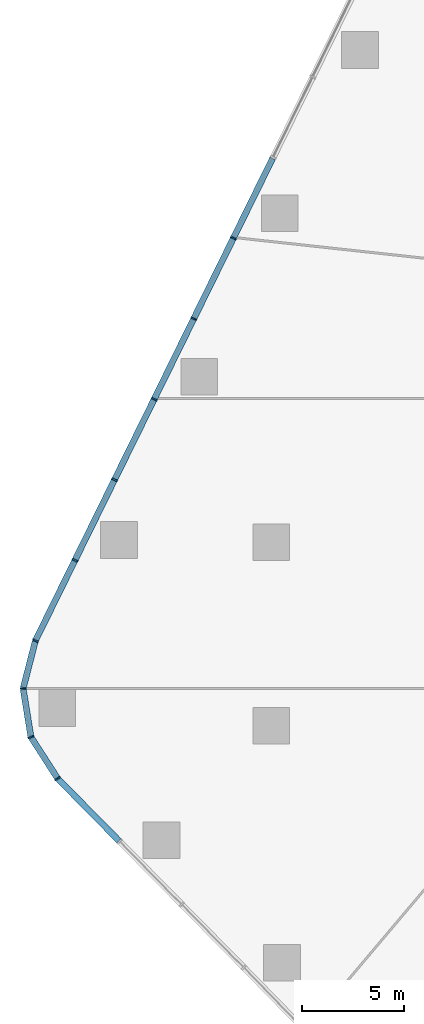
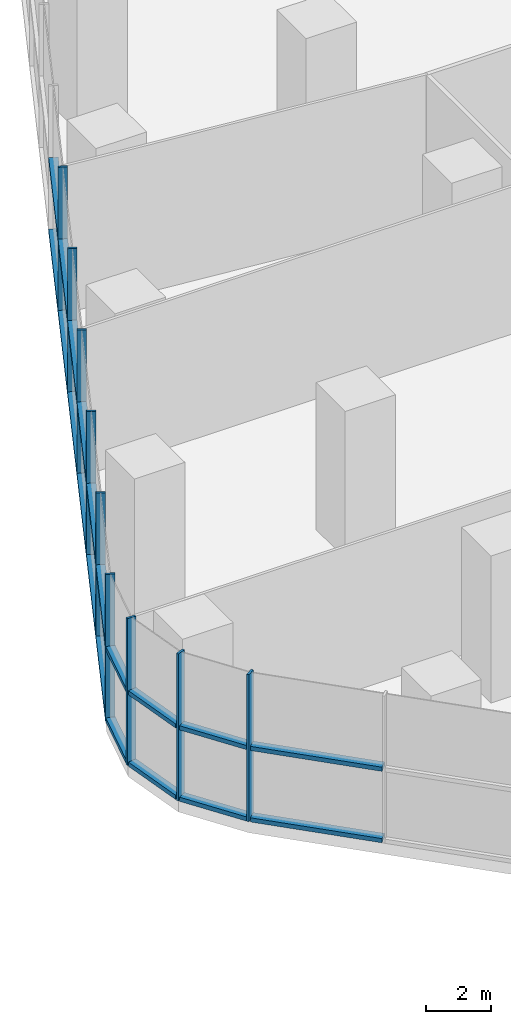
# One storey, part 4 of 15: 29 members, 3 elements without a shape of their own.
"""IFC4 building model written with IfcOpenShell, lengths in metres."""

from ifc_helpers import new_model, si_unit, direction, frame, origin, origin_2d, place, context, subcontext, project, spatial, rectangle, extrude, material, layer, layer_set, material_profile, profile_set, type_object, element, aggregate, save


model = new_model("IFC4")

# Units and contexts
model_context = context("Model", 3, precision=1e-05, world=origin(), true_north=direction((0.0, 1.0)))
body_context = subcontext(model_context, "Body", "Model", "MODEL_VIEW")
ifc_project = project(units=[si_unit("LENGTHUNIT", "METRE"), si_unit("AREAUNIT", "SQUARE_METRE"), si_unit("VOLUMEUNIT", "CUBIC_METRE"), si_unit("PLANEANGLEUNIT", "RADIAN"), si_unit("MASSUNIT", "GRAM", prefix="KILO")], contexts=[model_context])

# Site, building, storey
site_placement = place(None, origin())
site = spatial("IfcSite", under=ifc_project, at=site_placement, CompositionType="ELEMENT")
building_placement = place(site_placement, origin())
building = spatial("IfcBuilding", under=site, at=building_placement, Name="Dongbaek Canopy Tower", CompositionType="ELEMENT")
storey_placement = place(building_placement, frame((0.0, 0.0, 27.0)))
storey = spatial("IfcBuildingStorey", under=building, at=storey_placement, Name="L03", CompositionType="ELEMENT", Elevation=27.0)

# Curtain wall, members
ifc_material_1 = material(Name="Aluminium 6063-T6 pale anodised", Category="aluminium")
ifc_layer = layer(ifc_material_1, 0.300048828125)
ifc_layer_set = layer_set([ifc_layer], Name="CW-2 podium hall curtain wall")
curtain_wall_type = type_object("IfcCurtainWallType", Name="CW-2 podium hall curtain wall", PredefinedType="NOTDEFINED", material=ifc_layer_set)
curtain_wall_1_placement = place(storey_placement, origin())
curtain_wall_1 = element("IfcCurtainWall", 1, at=curtain_wall_1_placement, inside=storey, type_object=curtain_wall_type, Name="CW-2 curtain wall F3.1", PredefinedType="NOTDEFINED")
ifc_material_2 = material(Name="Aluminium 6063-T6 pale anodised", Category="aluminium")
ifc_material_profile_1 = material_profile(ifc_material_2, rectangle(XDim=0.300048828125, YDim=0.080078125, at=origin_2d()), Name="CW-2 mullion 80 x 300")
ifc_profile_set_1 = profile_set([ifc_material_profile_1], Name="Aluminium 6063-T6 pale anodised")
member_type_1 = type_object("IfcMemberType", Name="CW-2 mullion 80 x 300", PredefinedType="MULLION", material=ifc_profile_set_1)
member_1_placement = place(storey_placement, frame((-28.856201171875, 14.902099609375, 0.0), z_axis=(0.0, 0.0, 1.0), x_axis=(-0.897339166815, 0.441341613378, 0.0)))
member_1 = element("IfcMember", 2, at=member_1_placement, type_object=member_type_1, Name="CW-2 mullion F3.1.5", PredefinedType="MULLION", context=body_context, shape_type="SweptSolid", body=[
    extrude(rectangle(XDim=0.300048828125, YDim=0.080078125, at=origin_2d()), origin(), (0.0, 0.0, 1.0), 5.550048828125),
])
member_2_placement = place(storey_placement, frame((-30.7978515625, 10.954345703125, 0.0), z_axis=(0.0, 0.0, 1.0), x_axis=(-0.897339166815, 0.441341613378, 0.0)))
member_2 = element("IfcMember", 3, at=member_2_placement, type_object=member_type_1, Name="CW-2 mullion F3.1.6", PredefinedType="MULLION", context=body_context, shape_type="SweptSolid", body=[
    extrude(rectangle(XDim=0.300048828125, YDim=0.080078125, at=origin_2d()), origin(), (0.0, 0.0, 1.0), 5.550048828125),
])
member_3_placement = place(storey_placement, frame((-32.739501953125, 7.00634765625, 0.0), z_axis=(0.0, 0.0, 1.0), x_axis=(-0.897339166815, 0.441341613378, 0.0)))
member_3 = element("IfcMember", 4, at=member_3_placement, type_object=member_type_1, Name="CW-2 mullion F3.1.7", PredefinedType="MULLION", context=body_context, shape_type="SweptSolid", body=[
    extrude(rectangle(XDim=0.300048828125, YDim=0.080078125, at=origin_2d()), origin(), (0.0, 0.0, 1.0), 5.550048828125),
])
member_4_placement = place(storey_placement, frame((-34.68115234375, 3.05859375, 0.0), z_axis=(0.0, 0.0, 1.0), x_axis=(-0.897339166815, 0.441341613378, 0.0)))
member_4 = element("IfcMember", 5, at=member_4_placement, type_object=member_type_1, Name="CW-2 mullion F3.1.8", PredefinedType="MULLION", context=body_context, shape_type="SweptSolid", body=[
    extrude(rectangle(XDim=0.300048828125, YDim=0.080078125, at=origin_2d()), origin(), (0.0, 0.0, 1.0), 5.550048828125),
])
member_5_placement = place(storey_placement, frame((-36.622802734375, -0.88916015625, 0.0), z_axis=(0.0, 0.0, 1.0), x_axis=(-0.897339166815, 0.441341613378, 0.0)))
member_5 = element("IfcMember", 6, at=member_5_placement, type_object=member_type_1, Name="CW-2 mullion F3.1.9", PredefinedType="MULLION", context=body_context, shape_type="SweptSolid", body=[
    extrude(rectangle(XDim=0.300048828125, YDim=0.080078125, at=origin_2d()), origin(), (0.0, 0.0, 1.0), 5.550048828125),
])
member_6_placement = place(storey_placement, frame((-38.559814453125, -4.82763671875, 0.0), z_axis=(0.0, 0.0, 1.0), x_axis=(-0.897339166815, 0.441341613378, 0.0)))
member_6 = element("IfcMember", 7, at=member_6_placement, type_object=member_type_1, Name="CW-2 mullion F3.1.10", PredefinedType="MULLION", context=body_context, shape_type="SweptSolid", body=[
    extrude(rectangle(XDim=0.300048828125, YDim=0.080078125, at=origin_2d()), origin(), (0.0, 0.0, 1.0), 5.550048828125),
])

curtain_wall_2_placement = place(storey_placement, origin())
curtain_wall_2 = element("IfcCurtainWall", 8, at=curtain_wall_2_placement, inside=storey, type_object=curtain_wall_type, Name="CW-2 curtain wall K4.1", PredefinedType="NOTDEFINED")
member_7_placement = place(storey_placement, frame((-39.161865234375, -7.1728515625, 0.0), z_axis=(0.0, 0.0, 1.0), x_axis=(-0.998966870966, 0.045444369436, 0.0)))
member_7 = element("IfcMember", 9, at=member_7_placement, type_object=member_type_1, Name="CW-2 mullion K4.1.2", PredefinedType="MULLION", context=body_context, shape_type="SweptSolid", body=[
    extrude(rectangle(XDim=0.300048828125, YDim=0.080078125, at=origin_2d()), origin(), (0.0, 0.0, 1.0), 5.550048828125),
])
member_8_placement = place(storey_placement, frame((-38.77685546875, -9.552490234375, 0.0), z_axis=(0.0, 0.0, 1.0), x_axis=(-0.933704344441, -0.358044965295, 0.0)))
member_8 = element("IfcMember", 10, at=member_8_placement, type_object=member_type_1, Name="CW-2 mullion K4.1.3", PredefinedType="MULLION", context=body_context, shape_type="SweptSolid", body=[
    extrude(rectangle(XDim=0.300048828125, YDim=0.080078125, at=origin_2d()), origin(), (0.0, 0.0, 1.0), 5.550048828125),
])
member_9_placement = place(storey_placement, frame((-37.46630859375, -11.58837890625, 0.0), z_axis=(0.0, 0.0, 1.0), x_axis=(-0.840825723493, -0.541305923405, 0.0)))
member_9 = element("IfcMember", 11, at=member_9_placement, type_object=member_type_1, Name="CW-2 mullion K4.1.4", PredefinedType="MULLION", context=body_context, shape_type="SweptSolid", body=[
    extrude(rectangle(XDim=0.300048828125, YDim=0.080078125, at=origin_2d()), origin(), (0.0, 0.0, 1.0), 5.550048828125),
])

# Member
ifc_material_3 = material(Name="Aluminium 6063-T6 pale anodised", Category="aluminium")
ifc_material_profile_2 = material_profile(ifc_material_3, rectangle(XDim=0.300048828125, YDim=0.159912109375, at=origin_2d()), Name="CW-2 transom 160 x 300")
ifc_profile_set_2 = profile_set([ifc_material_profile_2], Name="Aluminium 6063-T6 pale anodised")
member_type_2 = type_object("IfcMemberType", Name="CW-2 transom 160 x 300", PredefinedType="USERDEFINED", material=ifc_profile_set_2)
member_10_placement = place(storey_placement, frame((-26.937255859375, 18.80322265625, 0.080078125), z_axis=(-0.441384176903, -0.897318231387, 0.0), x_axis=(0.897318231387, -0.441384176903, 0.0)))
member_10 = element("IfcMember", 12, at=member_10_placement, type_object=member_type_2, Name="CW-2 transom F3.1.4.1", ObjectType="TRANSOM", PredefinedType="USERDEFINED", context=body_context, shape_type="SweptSolid", body=[
    extrude(rectangle(XDim=0.300048828125, YDim=0.159912109375, at=origin_2d()), origin(), (0.0, 0.0, 1.0), 4.295654296875),
])

member_11_placement = place(storey_placement, frame((-26.937255859375, 18.80322265625, 2.77490234375), z_axis=(-0.441384176903, -0.897318231387, 0.0), x_axis=(0.897318231387, -0.441384176903, 0.0)))
member_11 = element("IfcMember", 13, at=member_11_placement, type_object=member_type_2, Name="CW-2 transom F3.1.4.2", ObjectType="TRANSOM", PredefinedType="USERDEFINED", context=body_context, shape_type="SweptSolid", body=[
    extrude(rectangle(XDim=0.300048828125, YDim=0.159912109375, at=origin_2d()), origin(), (0.0, 0.0, 1.0), 4.295654296875),
])

member_12_placement = place(storey_placement, frame((-28.879150390625, 14.85546875, 0.080078125), z_axis=(-0.441338412406, -0.897340741154, 0.0), x_axis=(0.897340741154, -0.441338412406, 0.0)))
member_12 = element("IfcMember", 14, at=member_12_placement, type_object=member_type_2, Name="CW-2 transom F3.1.5.1", ObjectType="TRANSOM", PredefinedType="USERDEFINED", context=body_context, shape_type="SweptSolid", body=[
    extrude(rectangle(XDim=0.300048828125, YDim=0.159912109375, at=origin_2d()), origin(), (0.0, 0.0, 1.0), 4.29541015625),
])

member_13_placement = place(storey_placement, frame((-28.879150390625, 14.85546875, 2.77490234375), z_axis=(-0.441338412406, -0.897340741154, 0.0), x_axis=(0.897340741154, -0.441338412406, 0.0)))
member_13 = element("IfcMember", 15, at=member_13_placement, type_object=member_type_2, Name="CW-2 transom F3.1.5.2", ObjectType="TRANSOM", PredefinedType="USERDEFINED", context=body_context, shape_type="SweptSolid", body=[
    extrude(rectangle(XDim=0.300048828125, YDim=0.159912109375, at=origin_2d()), origin(), (0.0, 0.0, 1.0), 4.29541015625),
])

member_14_placement = place(storey_placement, frame((-30.82080078125, 10.90771484375, 0.080078125), z_axis=(-0.441338412406, -0.897340741154, 0.0), x_axis=(0.897340741154, -0.441338412406, 0.0)))
member_14 = element("IfcMember", 16, at=member_14_placement, type_object=member_type_2, Name="CW-2 transom F3.1.6.1", ObjectType="TRANSOM", PredefinedType="USERDEFINED", context=body_context, shape_type="SweptSolid", body=[
    extrude(rectangle(XDim=0.300048828125, YDim=0.159912109375, at=origin_2d()), origin(), (0.0, 0.0, 1.0), 4.29541015625),
])

member_15_placement = place(storey_placement, frame((-30.82080078125, 10.90771484375, 2.77490234375), z_axis=(-0.441338412406, -0.897340741154, 0.0), x_axis=(0.897340741154, -0.441338412406, 0.0)))
member_15 = element("IfcMember", 17, at=member_15_placement, type_object=member_type_2, Name="CW-2 transom F3.1.6.2", ObjectType="TRANSOM", PredefinedType="USERDEFINED", context=body_context, shape_type="SweptSolid", body=[
    extrude(rectangle(XDim=0.300048828125, YDim=0.159912109375, at=origin_2d()), origin(), (0.0, 0.0, 1.0), 4.29541015625),
])

member_16_placement = place(storey_placement, frame((-32.762451171875, 6.959716796875, 0.080078125), z_axis=(-0.441338412406, -0.897340741154, 0.0), x_axis=(0.897340741154, -0.441338412406, 0.0)))
member_16 = element("IfcMember", 18, at=member_16_placement, type_object=member_type_2, Name="CW-2 transom F3.1.7.1", ObjectType="TRANSOM", PredefinedType="USERDEFINED", context=body_context, shape_type="SweptSolid", body=[
    extrude(rectangle(XDim=0.300048828125, YDim=0.159912109375, at=origin_2d()), origin(), (0.0, 0.0, 1.0), 4.29541015625),
])

member_17_placement = place(storey_placement, frame((-32.762451171875, 6.959716796875, 2.77490234375), z_axis=(-0.441338412406, -0.897340741154, 0.0), x_axis=(0.897340741154, -0.441338412406, 0.0)))
member_17 = element("IfcMember", 19, at=member_17_placement, type_object=member_type_2, Name="CW-2 transom F3.1.7.2", ObjectType="TRANSOM", PredefinedType="USERDEFINED", context=body_context, shape_type="SweptSolid", body=[
    extrude(rectangle(XDim=0.300048828125, YDim=0.159912109375, at=origin_2d()), origin(), (0.0, 0.0, 1.0), 4.29541015625),
])

member_18_placement = place(storey_placement, frame((-34.7041015625, 3.011962890625, 0.080078125), z_axis=(-0.441338412406, -0.897340741154, 0.0), x_axis=(0.897340741154, -0.441338412406, 0.0)))
member_18 = element("IfcMember", 20, at=member_18_placement, type_object=member_type_2, Name="CW-2 transom F3.1.8.1", ObjectType="TRANSOM", PredefinedType="USERDEFINED", context=body_context, shape_type="SweptSolid", body=[
    extrude(rectangle(XDim=0.300048828125, YDim=0.159912109375, at=origin_2d()), origin(), (0.0, 0.0, 1.0), 4.29541015625),
])

member_19_placement = place(storey_placement, frame((-34.7041015625, 3.011962890625, 2.77490234375), z_axis=(-0.441338412406, -0.897340741154, 0.0), x_axis=(0.897340741154, -0.441338412406, 0.0)))
member_19 = element("IfcMember", 21, at=member_19_placement, type_object=member_type_2, Name="CW-2 transom F3.1.8.2", ObjectType="TRANSOM", PredefinedType="USERDEFINED", context=body_context, shape_type="SweptSolid", body=[
    extrude(rectangle(XDim=0.300048828125, YDim=0.159912109375, at=origin_2d()), origin(), (0.0, 0.0, 1.0), 4.29541015625),
])

member_20_placement = place(storey_placement, frame((-36.645751953125, -0.935791015625, 0.080078125), z_axis=(-0.441324168048, -0.897347746805, 0.0), x_axis=(0.897347746805, -0.441324168048, 0.0)))
member_20 = element("IfcMember", 22, at=member_20_placement, type_object=member_type_2, Name="CW-2 transom F3.1.9.1", ObjectType="TRANSOM", PredefinedType="USERDEFINED", context=body_context, shape_type="SweptSolid", body=[
    extrude(rectangle(XDim=0.300048828125, YDim=0.159912109375, at=origin_2d()), origin(), (0.0, 0.0, 1.0), 4.28515625),
])

member_21_placement = place(storey_placement, frame((-36.645751953125, -0.935791015625, 2.77490234375), z_axis=(-0.441324168048, -0.897347746805, 0.0), x_axis=(0.897347746805, -0.441324168048, 0.0)))
member_21 = element("IfcMember", 23, at=member_21_placement, type_object=member_type_2, Name="CW-2 transom F3.1.9.2", ObjectType="TRANSOM", PredefinedType="USERDEFINED", context=body_context, shape_type="SweptSolid", body=[
    extrude(rectangle(XDim=0.300048828125, YDim=0.159912109375, at=origin_2d()), origin(), (0.0, 0.0, 1.0), 4.28515625),
])

aggregate(curtain_wall_1, [member_1, member_2, member_3, member_4, member_5, member_6, member_10, member_11, member_12, member_13, member_14, member_15, member_16, member_17, member_18, member_19, member_20, member_21])

member_22_placement = place(storey_placement, frame((-38.57275390625, -4.878173828125, 0.080078125), z_axis=(-0.248654181882, -0.968592327985, 0.0), x_axis=(0.968592327985, -0.248654181882, 0.0)))
member_22 = element("IfcMember", 24, at=member_22_placement, type_object=member_type_2, Name="CW-2 transom K4.1.1.1", ObjectType="TRANSOM", PredefinedType="USERDEFINED", context=body_context, shape_type="SweptSolid", body=[
    extrude(rectangle(XDim=0.300048828125, YDim=0.159912109375, at=origin_2d()), origin(), (0.0, 0.0, 1.0), 2.317138671875),
])

member_23_placement = place(storey_placement, frame((-38.57275390625, -4.878173828125, 2.77490234375), z_axis=(-0.248654181882, -0.968592327985, 0.0), x_axis=(0.968592327985, -0.248654181882, 0.0)))
member_23 = element("IfcMember", 25, at=member_23_placement, type_object=member_type_2, Name="CW-2 transom K4.1.1.2", ObjectType="TRANSOM", PredefinedType="USERDEFINED", context=body_context, shape_type="SweptSolid", body=[
    extrude(rectangle(XDim=0.300048828125, YDim=0.159912109375, at=origin_2d()), origin(), (0.0, 0.0, 1.0), 2.317138671875),
])

member_24_placement = place(storey_placement, frame((-39.153564453125, -7.22412109375, 0.080078125), z_axis=(0.15971159543, -0.987163718076, 0.0), x_axis=(0.987163718076, 0.15971159543, 0.0)))
member_24 = element("IfcMember", 26, at=member_24_placement, type_object=member_type_2, Name="CW-2 transom K4.1.2.1", ObjectType="TRANSOM", PredefinedType="USERDEFINED", context=body_context, shape_type="SweptSolid", body=[
    extrude(rectangle(XDim=0.300048828125, YDim=0.159912109375, at=origin_2d()), origin(), (0.0, 0.0, 1.0), 2.306640625),
])

member_25_placement = place(storey_placement, frame((-39.153564453125, -7.22412109375, 2.77490234375), z_axis=(0.15971159543, -0.987163718076, 0.0), x_axis=(0.987163718076, 0.15971159543, 0.0)))
member_25 = element("IfcMember", 27, at=member_25_placement, type_object=member_type_2, Name="CW-2 transom K4.1.2.2", ObjectType="TRANSOM", PredefinedType="USERDEFINED", context=body_context, shape_type="SweptSolid", body=[
    extrude(rectangle(XDim=0.300048828125, YDim=0.159912109375, at=origin_2d()), origin(), (0.0, 0.0, 1.0), 2.306640625),
])

member_26_placement = place(storey_placement, frame((-38.748779296875, -9.59619140625, 0.080078125), z_axis=(0.54130592275, -0.840825723914, 0.0), x_axis=(0.840825723914, 0.54130592275, 0.0)))
member_26 = element("IfcMember", 28, at=member_26_placement, type_object=member_type_2, Name="CW-2 transom K4.1.3.1", ObjectType="TRANSOM", PredefinedType="USERDEFINED", context=body_context, shape_type="SweptSolid", body=[
    extrude(rectangle(XDim=0.300048828125, YDim=0.159912109375, at=origin_2d()), origin(), (0.0, 0.0, 1.0), 2.3173828125),
])

member_27_placement = place(storey_placement, frame((-38.748779296875, -9.59619140625, 2.77490234375), z_axis=(0.54130592275, -0.840825723914, 0.0), x_axis=(0.840825723914, 0.54130592275, 0.0)))
member_27 = element("IfcMember", 29, at=member_27_placement, type_object=member_type_2, Name="CW-2 transom K4.1.3.2", ObjectType="TRANSOM", PredefinedType="USERDEFINED", context=body_context, shape_type="SweptSolid", body=[
    extrude(rectangle(XDim=0.300048828125, YDim=0.159912109375, at=origin_2d()), origin(), (0.0, 0.0, 1.0), 2.3173828125),
])

aggregate(curtain_wall_2, [member_7, member_8, member_9, member_22, member_23, member_24, member_25, member_26, member_27])

# Curtain wall, members
curtain_wall_3_placement = place(storey_placement, origin())
curtain_wall_3 = element("IfcCurtainWall", 30, at=curtain_wall_3_placement, inside=storey, type_object=curtain_wall_type, Name="CW-2 curtain wall F4.1", PredefinedType="NOTDEFINED")
member_28_placement = place(storey_placement, frame((-37.429931640625, -11.62548828125, 0.080078125), z_axis=(0.70173352954, -0.712439508673, 0.0), x_axis=(0.712439508673, 0.70173352954, 0.0)))
member_28 = element("IfcMember", 31, at=member_28_placement, type_object=member_type_2, Name="CW-2 transom F4.1.1.1", ObjectType="TRANSOM", PredefinedType="USERDEFINED", context=body_context, shape_type="SweptSolid", body=[
    extrude(rectangle(XDim=0.300048828125, YDim=0.159912109375, at=origin_2d()), origin(), (0.0, 0.0, 1.0), 4.21875),
])
member_29_placement = place(storey_placement, frame((-37.429931640625, -11.62548828125, 2.77490234375), z_axis=(0.70173352954, -0.712439508673, 0.0), x_axis=(0.712439508673, 0.70173352954, 0.0)))
member_29 = element("IfcMember", 32, at=member_29_placement, type_object=member_type_2, Name="CW-2 transom F4.1.1.2", ObjectType="TRANSOM", PredefinedType="USERDEFINED", context=body_context, shape_type="SweptSolid", body=[
    extrude(rectangle(XDim=0.300048828125, YDim=0.159912109375, at=origin_2d()), origin(), (0.0, 0.0, 1.0), 4.21875),
])
aggregate(curtain_wall_3, [member_28, member_29])

save(model, "model.ifc")
